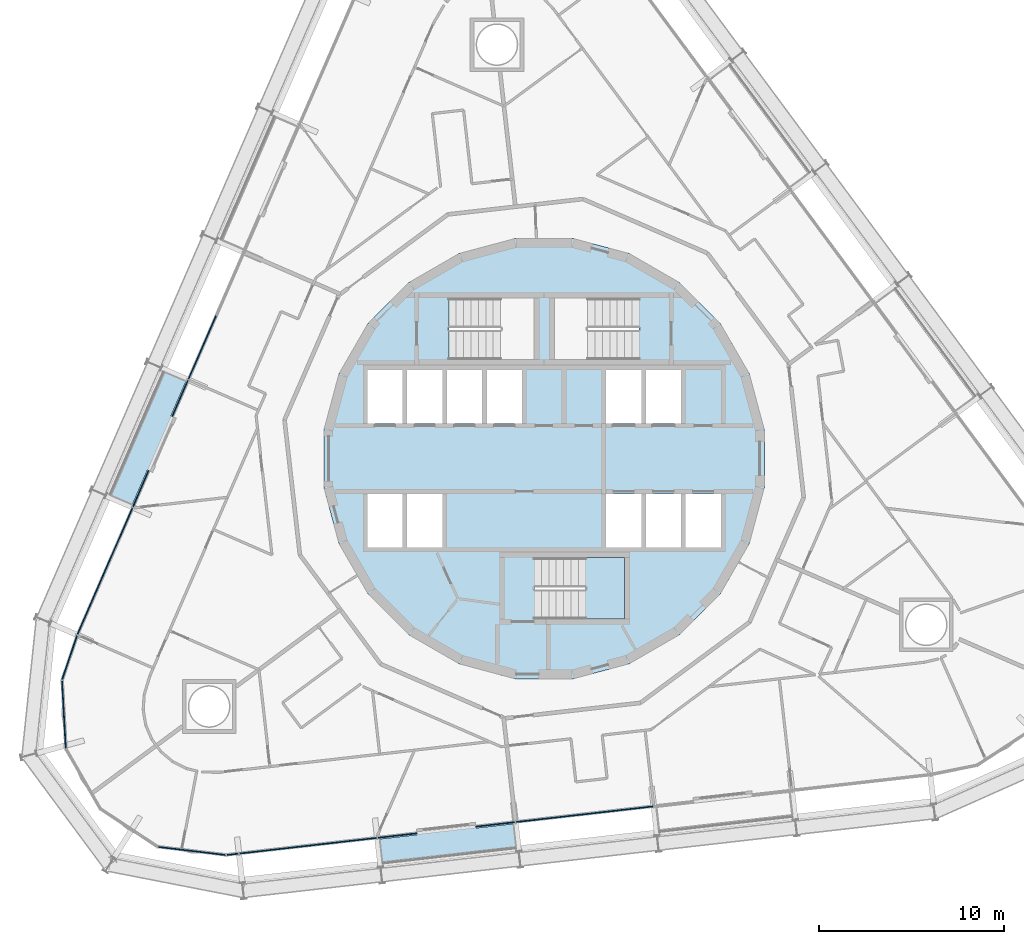
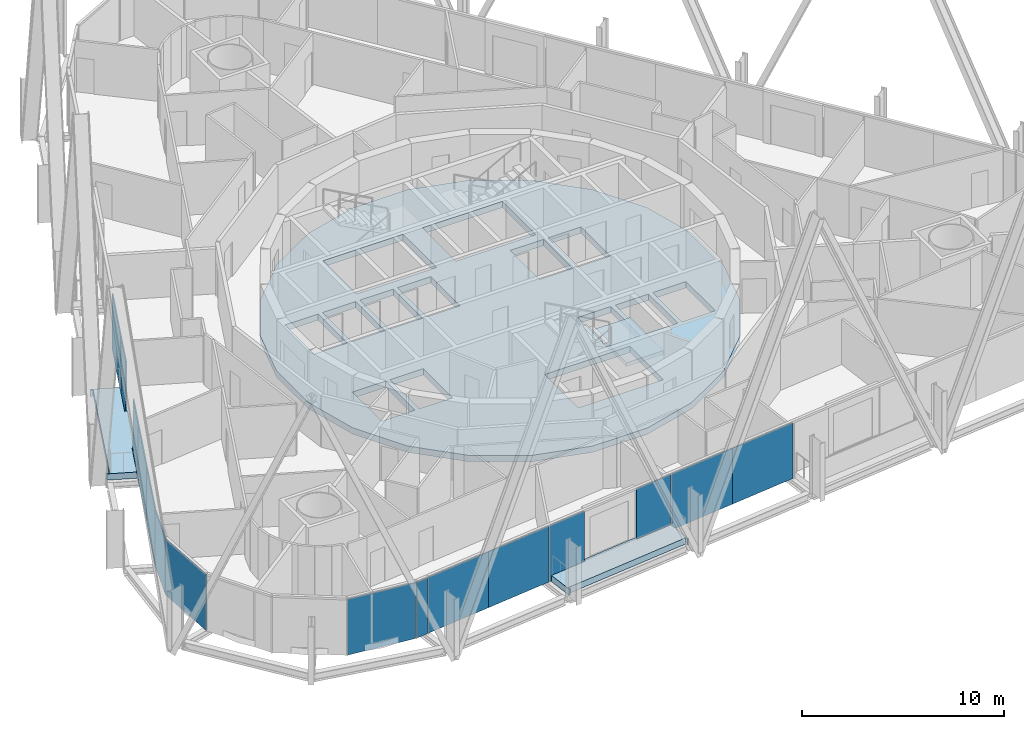
# One storey, part 13 of 23: 15 plates, 4 slabs, 4 elements without a shape of their own.
"""IFC4 building model written with IfcOpenShell, lengths in metres."""

from ifc_helpers import new_model, si_unit, direction, frame, origin, origin_2d, place, context, subcontext, project, spatial, polyline, rectangle, outline, extrude, material, layer, layer_set, type_object, element, aggregate, save


model = new_model("IFC4")

# Units and contexts
model_context = context("Model", 3, precision=1e-05, world=origin(), true_north=direction((0.0, 1.0)))
body_context = subcontext(model_context, "Body", "Model", "MODEL_VIEW")
ifc_project = project(units=[si_unit("LENGTHUNIT", "METRE"), si_unit("AREAUNIT", "SQUARE_METRE"), si_unit("VOLUMEUNIT", "CUBIC_METRE"), si_unit("PLANEANGLEUNIT", "RADIAN"), si_unit("MASSUNIT", "GRAM", prefix="KILO")], contexts=[model_context])

# Site, building, storey
site_placement = place(None, origin())
site = spatial("IfcSite", under=ifc_project, at=site_placement, CompositionType="ELEMENT")
building_placement = place(site_placement, origin())
building = spatial("IfcBuilding", under=site, at=building_placement, Name="Spindle Arch Residences", CompositionType="ELEMENT")
storey_placement = place(building_placement, frame((0.0, 0.0, 90.699951171875)))
storey = spatial("IfcBuildingStorey", under=building, at=storey_placement, Name="L21", CompositionType="ELEMENT", Elevation=90.699951171875)

# Slabs
ifc_material_1 = material(Name="Concrete C40/50", Category="concrete")
ifc_layer_1 = layer(ifc_material_1, 0.3798828125)
ifc_layer_set_1 = layer_set([ifc_layer_1], Name="Balcony slab 380")
slab_type_1 = type_object("IfcSlabType", Name="Balcony slab 380", PredefinedType="FLOOR", material=ifc_layer_set_1)
slab_1_placement = place(storey_placement, frame((0.0, 0.0, -0.3798828125)))
element("IfcSlab", 1, at=slab_1_placement, inside=storey, type_object=slab_type_1, Name="Balcony L21 bay 17", PredefinedType="FLOOR", context=body_context, shape_type="SweptSolid", body=[
    extrude(outline(polyline([(-20.702392578125, 4.820556640625), (-20.732421875, 4.751708984375), (-20.5947265625, 4.69189453125), (-23.47314453125, -1.92822265625), (-23.61083984375, -1.868408203125), (-23.640625, -1.937255859375), (-22.2744140625, -2.53125), (-21.443115234375, -0.619873046875), (-21.29638671875, -0.68359375), (-20.0205078125, 2.2509765625), (-20.167236328125, 2.314697265625), (-19.3359375, 4.226318359375), (-20.702392578125, 4.820556640625)])), origin(), (0.0, 0.0, 1.0), 0.3798828125),
])
slab_2_placement = place(storey_placement, frame((0.0, 0.0, -0.3798828125)))
element("IfcSlab", 2, at=slab_2_placement, inside=storey, type_object=slab_type_1, Name="Balcony L21 bay 23", PredefinedType="FLOOR", context=body_context, shape_type="SweptSolid", body=[
    extrude(outline(polyline([(-8.764404296875, -22.041259765625), (-8.68994140625, -22.032958984375), (-8.706787109375, -21.8837890625), (-1.534423828125, -21.066650390625), (-1.517578125, -21.215576171875), (-1.44287109375, -21.207275390625), (-1.611572265625, -19.726806640625), (-3.6826171875, -19.962646484375), (-3.70068359375, -19.8037109375), (-6.880126953125, -20.166015625), (-6.862060546875, -20.324951171875), (-8.93310546875, -20.56103515625), (-8.764404296875, -22.041259765625)])), origin(), (0.0, 0.0, 1.0), 0.3798828125),
])
ifc_material_2 = material(Name="Concrete C50/60", Category="concrete")
ifc_layer_2 = layer(ifc_material_2, 0.3798828125)
ifc_layer_set_2 = layer_set([ifc_layer_2], Name="Core floor slab 380")
slab_type_2 = type_object("IfcSlabType", Name="Core floor slab 380", PredefinedType="FLOOR", material=ifc_layer_set_2)
slab_3_placement = place(storey_placement, frame((0.0, 0.0, -0.3798828125)))
element("IfcSlab", 3, at=slab_3_placement, inside=storey, type_object=slab_type_2, Name="Core floor L21", PredefinedType="FLOOR", context=body_context, shape_type="SweptSolid", body=[
    extrude(outline(polyline([(1.56640625, -11.897216796875), (4.59228515625, -11.086669921875), (7.30517578125, -9.520263671875), (9.520263671875, -7.30517578125), (11.086669921875, -4.59228515625), (11.897216796875, -1.56640625), (11.897216796875, 1.56640625), (11.086669921875, 4.59228515625), (9.520263671875, 7.30517578125), (7.30517578125, 9.520263671875), (4.59228515625, 11.086669921875), (1.56640625, 11.897216796875), (-1.56640625, 11.897216796875), (-4.59228515625, 11.086669921875), (-7.30517578125, 9.520263671875), (-9.520263671875, 7.30517578125), (-11.086669921875, 4.59228515625), (-11.897216796875, 1.56640625), (-11.897216796875, -1.56640625), (-11.086669921875, -4.59228515625), (-9.520263671875, -7.30517578125), (-7.30517578125, -9.520263671875), (-4.59228515625, -11.086669921875), (-1.56640625, -11.897216796875), (1.56640625, -11.897216796875)]), holes=[polyline([(-9.550048828125, 1.89990234375), (-7.64990234375, 1.89990234375), (-7.64990234375, 4.800048828125), (-9.550048828125, 4.800048828125), (-9.550048828125, 1.89990234375)]), polyline([(-7.39990234375, 1.89990234375), (-5.5, 1.89990234375), (-5.5, 4.800048828125), (-7.39990234375, 4.800048828125), (-7.39990234375, 1.89990234375)]), polyline([(-5.25, 1.89990234375), (-3.35009765625, 1.89990234375), (-3.35009765625, 4.800048828125), (-5.25, 4.800048828125), (-5.25, 1.89990234375)]), polyline([(-3.10009765625, 1.89990234375), (-1.199951171875, 1.89990234375), (-1.199951171875, 4.800048828125), (-3.10009765625, 4.800048828125), (-3.10009765625, 1.89990234375)]), polyline([(3.35009765625, 1.89990234375), (5.25, 1.89990234375), (5.25, 4.800048828125), (3.35009765625, 4.800048828125), (3.35009765625, 1.89990234375)]), polyline([(5.5, 1.89990234375), (7.39990234375, 1.89990234375), (7.39990234375, 4.800048828125), (5.5, 4.800048828125), (5.5, 1.89990234375)]), polyline([(-9.550048828125, -4.800048828125), (-7.64990234375, -4.800048828125), (-7.64990234375, -1.89990234375), (-9.550048828125, -1.89990234375), (-9.550048828125, -4.800048828125)]), polyline([(-7.39990234375, -4.800048828125), (-5.5, -4.800048828125), (-5.5, -1.89990234375), (-7.39990234375, -1.89990234375), (-7.39990234375, -4.800048828125)]), polyline([(3.35009765625, -4.800048828125), (5.25, -4.800048828125), (5.25, -1.89990234375), (3.35009765625, -1.89990234375), (3.35009765625, -4.800048828125)]), polyline([(5.5, -4.800048828125), (7.39990234375, -4.800048828125), (7.39990234375, -1.89990234375), (5.5, -1.89990234375), (5.5, -4.800048828125)]), polyline([(7.64990234375, -4.800048828125), (9.550048828125, -4.800048828125), (9.550048828125, -1.89990234375), (7.64990234375, -1.89990234375), (7.64990234375, -4.800048828125)]), polyline([(5.1298828125, 8.669921875), (0.550048828125, 8.669921875), (0.550048828125, 5.35009765625), (5.1298828125, 5.35009765625), (5.1298828125, 8.669921875)]), polyline([(-5.1298828125, 5.35009765625), (-0.550048828125, 5.35009765625), (-0.550048828125, 8.669921875), (-5.1298828125, 8.669921875), (-5.1298828125, 5.35009765625)]), polyline([(-0.530029296875, -8.669921875), (4.35009765625, -8.669921875), (4.35009765625, -5.35009765625), (-0.530029296875, -5.35009765625), (-0.530029296875, -8.669921875)])]), origin(), (0.0, 0.0, 1.0), 0.3798828125),
])

# Stair, slab
ifc_material_3 = material(Name="Concrete C50/60", Category="concrete")
stair_type = type_object("IfcStairType", Name="Exit stair 16 risers", PredefinedType="HALF_TURN_STAIR", material=ifc_material_3)
stair_placement = place(storey_placement, origin())
stair = element("IfcStair", 4, at=stair_placement, inside=storey, type_object=stair_type, Name="L21 Exit stair ST3", PredefinedType="HALF_TURN_STAIR")
ifc_material_4 = material(Name="Concrete C50/60", Category="concrete")
ifc_layer_3 = layer(ifc_material_4, 0.219970703125)
ifc_layer_set_3 = layer_set([ifc_layer_3], Name="Exit stair landing 220")
slab_type_3 = type_object("IfcSlabType", Name="Exit stair landing 220", PredefinedType="LANDING", material=ifc_layer_set_3)
slab_4_placement = place(storey_placement, frame((0.0, 0.0, 1.530029296875)))
slab_4 = element("IfcSlab", 5, at=slab_4_placement, type_object=slab_type_3, Name="ST3 landing 1", PredefinedType="LANDING", context=body_context, shape_type="SweptSolid", body=[
    extrude(outline(polyline([(2.22998046875, -8.669921875), (4.35009765625, -8.669921875), (4.35009765625, -5.35009765625), (2.22998046875, -5.35009765625), (2.22998046875, -8.669921875)])), origin(), (0.0, 0.0, 1.0), 0.219970703125),
])
aggregate(stair, [slab_4])

# Curtain wall, plates
ifc_material_5 = material(Name="Aluminium bronze unitised frame with tinted glass", Category="aluminium")
ifc_layer_4 = layer(ifc_material_5, 0.159912109375)
ifc_layer_set_4 = layer_set([ifc_layer_4], Name="CW-C typical residential unitised wall")
curtain_wall_type_1 = type_object("IfcCurtainWallType", Name="CW-C typical residential unitised wall", PredefinedType="NOTDEFINED", material=ifc_layer_set_4)
curtain_wall_1_placement = place(storey_placement, origin())
curtain_wall_1 = element("IfcCurtainWall", 6, at=curtain_wall_1_placement, inside=storey, type_object=curtain_wall_type_1, Name="CW-C L21 run 4", PredefinedType="NOTDEFINED")
ifc_material_6 = material(Name="Tinted double glazing over aluminium faced non-combustible spandrel zone (K0)", Category="aluminium")
ifc_layer_5 = layer(ifc_material_6, 0.06005859375)
ifc_layer_set_5 = layer_set([ifc_layer_5], Name="Unitised glass panel with E 60 spandrel zone")
plate_type = type_object("IfcPlateType", Name="Unitised glass panel with E 60 spandrel zone", PredefinedType="CURTAIN_PANEL", material=ifc_layer_set_5)
plate_1_placement = place(storey_placement, frame((-18.477294921875, 6.000732421875, -0.3798828125), z_axis=(0.0, 0.0, 1.0), x_axis=(-0.398749068925, -0.917060074385, 0.0)))
plate_1 = element("IfcPlate", 7, at=plate_1_placement, type_object=plate_type, Name="CW-C unit 15B", PredefinedType="CURTAIN_PANEL", context=body_context, shape_type="SweptSolid", body=[
    extrude(rectangle(XDim=3.7294921875, YDim=0.06005859375, at=origin_2d()), origin(), (0.0, 0.0, 1.0), 3.3798828125),
])
plate_2_placement = place(storey_placement, frame((-19.669189453125, 3.25927734375, -0.3798828125), z_axis=(0.0, 0.0, 1.0), x_axis=(-0.398749068925, -0.917060074385, 0.0)))
plate_2 = element("IfcPlate", 8, at=plate_2_placement, type_object=plate_type, Name="CW-C unit 16L", PredefinedType="CURTAIN_PANEL", context=body_context, shape_type="SweptSolid", body=[
    extrude(rectangle(XDim=2.12939453125, YDim=0.06005859375, at=origin_2d()), origin(), (0.0, 0.0, 1.0), 3.3798828125),
])
plate_3_placement = place(storey_placement, frame((-21.79443359375, -1.628173828125, -0.3798828125), z_axis=(0.0, 0.0, 1.0), x_axis=(-0.398749068925, -0.917060074385, 0.0)))
plate_3 = element("IfcPlate", 9, at=plate_3_placement, type_object=plate_type, Name="CW-C unit 16R", PredefinedType="CURTAIN_PANEL", context=body_context, shape_type="SweptSolid", body=[
    extrude(rectangle(XDim=2.12939453125, YDim=0.06005859375, at=origin_2d()), origin(), (0.0, 0.0, 1.0), 3.3798828125),
])
plate_4_placement = place(storey_placement, frame((-22.986328125, -4.36962890625, -0.3798828125), z_axis=(0.0, 0.0, 1.0), x_axis=(-0.398749068925, -0.917060074385, 0.0)))
plate_4 = element("IfcPlate", 10, at=plate_4_placement, type_object=plate_type, Name="CW-C unit 17A", PredefinedType="CURTAIN_PANEL", context=body_context, shape_type="SweptSolid", body=[
    extrude(rectangle(XDim=3.7294921875, YDim=0.06005859375, at=origin_2d()), origin(), (0.0, 0.0, 1.0), 3.3798828125),
])
plate_5_placement = place(storey_placement, frame((-24.473388671875, -7.78955078125, -0.3798828125), z_axis=(0.0, 0.0, 1.0), x_axis=(-0.398749068925, -0.917060074385, 0.0)))
plate_5 = element("IfcPlate", 11, at=plate_5_placement, type_object=plate_type, Name="CW-C unit 17B", PredefinedType="CURTAIN_PANEL", context=body_context, shape_type="SweptSolid", body=[
    extrude(rectangle(XDim=3.7294921875, YDim=0.06005859375, at=origin_2d()), origin(), (0.0, 0.0, 1.0), 3.3798828125),
])
aggregate(curtain_wall_1, [plate_1, plate_2, plate_3, plate_4, plate_5])

ifc_material_7 = material(Name="Aluminium bronze unitised frame with tinted glass", Category="aluminium")
ifc_layer_6 = layer(ifc_material_7, 0.159912109375)
ifc_layer_set_6 = layer_set([ifc_layer_6], Name="CW-D corner wall on the fillet arcs")
curtain_wall_type_2 = type_object("IfcCurtainWallType", Name="CW-D corner wall on the fillet arcs", PredefinedType="NOTDEFINED", material=ifc_layer_set_6)
curtain_wall_2_placement = place(storey_placement, origin())
curtain_wall_2 = element("IfcCurtainWall", 12, at=curtain_wall_2_placement, inside=storey, type_object=curtain_wall_type_2, Name="CW-D L21 run 5", PredefinedType="NOTDEFINED")
plate_6_placement = place(storey_placement, frame((-25.640380859375, -10.746826171875, -0.3798828125), z_axis=(0.0, 0.0, 1.0), x_axis=(-0.319727106941, -0.947509671237, 0.0)))
plate_6 = element("IfcPlate", 13, at=plate_6_placement, type_object=plate_type, Name="CW-D unit 00", PredefinedType="CURTAIN_PANEL", context=body_context, shape_type="SweptSolid", body=[
    extrude(rectangle(XDim=2.51416015625, YDim=0.06005859375, at=origin_2d()), origin(), (0.0, 0.0, 1.0), 3.3798828125),
])
plate_7_placement = place(storey_placement, frame((-25.948974609375, -13.82666015625, -0.3798828125), z_axis=(0.0, 0.0, 1.0), x_axis=(0.055240622495, -0.998473071057, 0.0)))
plate_7 = element("IfcPlate", 14, at=plate_7_placement, type_object=plate_type, Name="CW-D unit 01", PredefinedType="CURTAIN_PANEL", context=body_context, shape_type="SweptSolid", body=[
    extrude(rectangle(XDim=3.666748046875, YDim=0.06005859375, at=origin_2d()), origin(), (0.0, 0.0, 1.0), 3.3798828125),
])
plate_8_placement = place(storey_placement, frame((-19.034423828125, -21.19873046875, -0.3798828125), z_axis=(0.0, 0.0, 1.0), x_axis=(0.992896454881, -0.118981636756, 0.0)))
plate_8 = element("IfcPlate", 15, at=plate_8_placement, type_object=plate_type, Name="CW-D unit 04", PredefinedType="CURTAIN_PANEL", context=body_context, shape_type="SweptSolid", body=[
    extrude(rectangle(XDim=3.666748046875, YDim=0.06005859375, at=origin_2d()), origin(), (0.0, 0.0, 1.0), 3.3798828125),
])
plate_9_placement = place(storey_placement, frame((-16.835693359375, -21.380859375, -0.3798828125), z_axis=(0.0, 0.0, 1.0), x_axis=(0.993571855677, 0.113203213768, 0.0)))
plate_9 = element("IfcPlate", 16, at=plate_9_placement, type_object=plate_type, Name="CW-D unit 05", PredefinedType="CURTAIN_PANEL", context=body_context, shape_type="SweptSolid", body=[
    extrude(rectangle(XDim=0.6416015625, YDim=0.06005859375, at=origin_2d()), origin(), (0.0, 0.0, 1.0), 3.3798828125),
])
aggregate(curtain_wall_2, [plate_6, plate_7, plate_8, plate_9])

curtain_wall_3_placement = place(storey_placement, origin())
curtain_wall_3 = element("IfcCurtainWall", 17, at=curtain_wall_3_placement, inside=storey, type_object=curtain_wall_type_1, Name="CW-C L21 run 6", PredefinedType="NOTDEFINED")
plate_10_placement = place(storey_placement, frame((-14.604736328125, -21.126708984375, -0.3798828125), z_axis=(0.0, 0.0, 1.0), x_axis=(0.993571855677, 0.113203213768, 0.0)))
plate_10 = element("IfcPlate", 18, at=plate_10_placement, type_object=plate_type, Name="CW-C unit 21A", PredefinedType="CURTAIN_PANEL", context=body_context, shape_type="SweptSolid", body=[
    extrude(rectangle(XDim=3.7294921875, YDim=0.06005859375, at=origin_2d()), origin(), (0.0, 0.0, 1.0), 3.3798828125),
])
plate_11_placement = place(storey_placement, frame((-10.899169921875, -20.704345703125, -0.3798828125), z_axis=(0.0, 0.0, 1.0), x_axis=(0.993571855677, 0.113203213768, 0.0)))
plate_11 = element("IfcPlate", 19, at=plate_11_placement, type_object=plate_type, Name="CW-C unit 21B", PredefinedType="CURTAIN_PANEL", context=body_context, shape_type="SweptSolid", body=[
    extrude(rectangle(XDim=3.7294921875, YDim=0.06005859375, at=origin_2d()), origin(), (0.0, 0.0, 1.0), 3.3798828125),
])
plate_12_placement = place(storey_placement, frame((-7.928955078125, -20.365966796875, -0.3798828125), z_axis=(0.0, 0.0, 1.0), x_axis=(0.993571855677, 0.113203213768, 0.0)))
plate_12 = element("IfcPlate", 20, at=plate_12_placement, type_object=plate_type, Name="CW-C unit 22L", PredefinedType="CURTAIN_PANEL", context=body_context, shape_type="SweptSolid", body=[
    extrude(rectangle(XDim=2.12939453125, YDim=0.06005859375, at=origin_2d()), origin(), (0.0, 0.0, 1.0), 3.3798828125),
])
plate_13_placement = place(storey_placement, frame((-2.6337890625, -19.7626953125, -0.3798828125), z_axis=(0.0, 0.0, 1.0), x_axis=(0.993571855677, 0.113203213768, 0.0)))
plate_13 = element("IfcPlate", 21, at=plate_13_placement, type_object=plate_type, Name="CW-C unit 22R", PredefinedType="CURTAIN_PANEL", context=body_context, shape_type="SweptSolid", body=[
    extrude(rectangle(XDim=2.12939453125, YDim=0.06005859375, at=origin_2d()), origin(), (0.0, 0.0, 1.0), 3.3798828125),
])
plate_14_placement = place(storey_placement, frame((0.33642578125, -19.42431640625, -0.3798828125), z_axis=(0.0, 0.0, 1.0), x_axis=(0.993571855677, 0.113203213768, 0.0)))
plate_14 = element("IfcPlate", 22, at=plate_14_placement, type_object=plate_type, Name="CW-C unit 23A", PredefinedType="CURTAIN_PANEL", context=body_context, shape_type="SweptSolid", body=[
    extrude(rectangle(XDim=3.7294921875, YDim=0.06005859375, at=origin_2d()), origin(), (0.0, 0.0, 1.0), 3.3798828125),
])
plate_15_placement = place(storey_placement, frame((4.041748046875, -19.002197265625, -0.3798828125), z_axis=(0.0, 0.0, 1.0), x_axis=(0.993571855677, 0.113203213768, 0.0)))
plate_15 = element("IfcPlate", 23, at=plate_15_placement, type_object=plate_type, Name="CW-C unit 23B", PredefinedType="CURTAIN_PANEL", context=body_context, shape_type="SweptSolid", body=[
    extrude(rectangle(XDim=3.7294921875, YDim=0.06005859375, at=origin_2d()), origin(), (0.0, 0.0, 1.0), 3.3798828125),
])
aggregate(curtain_wall_3, [plate_10, plate_11, plate_12, plate_13, plate_14, plate_15])

save(model, "model.ifc")
